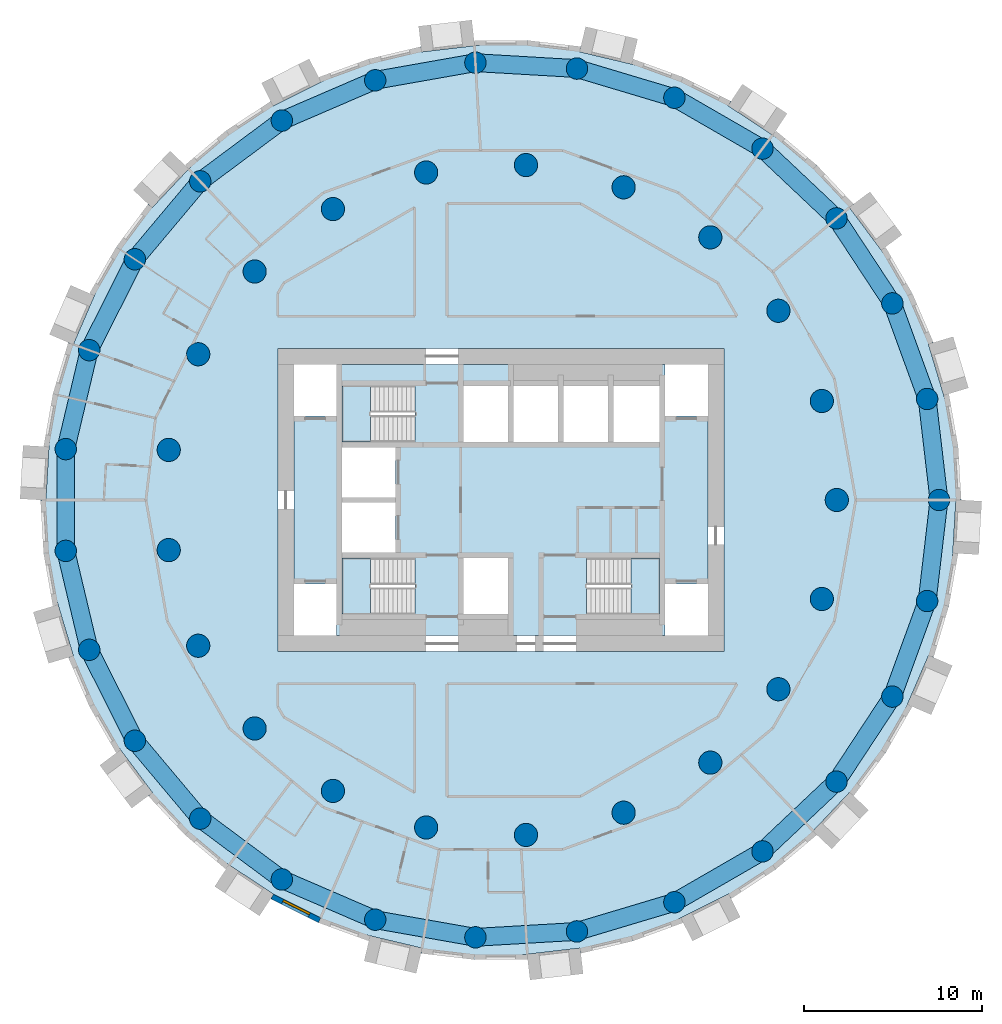
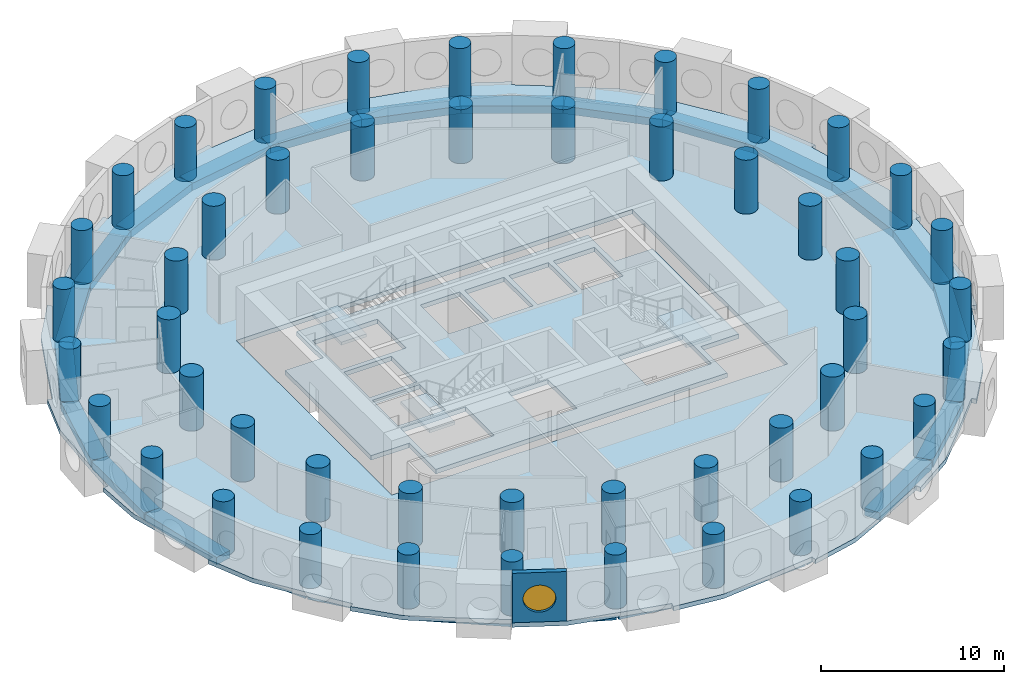
# One storey, part 1 of 9: 48 columns, 27 beams, 5 slabs, 1 wall, 1 window, 1 opening, 3 elements without a shape of their own.
"""IFC4 building model written with IfcOpenShell, lengths in metres."""

import ifcopenshell
import ifcopenshell.guid

model = None  # the IFC model being written
_history = None  # IfcOwnerHistory: only IFC2X3 demands one
_inside = {}  # id of a spatial element -> (the spatial element, [elements in it])
_under = {}  # id of a project, library or spatial element -> (it, [spatial elements below it])
_declared = {}  # id of a project -> (the project, [libraries it declares])
_typed = {}  # id of a type object -> (the type object, [elements of that type])
_made_of = {}  # id of a material, layer set ... -> (it, [elements and type objects made of it])


def new_model(schema):
    """Start an empty IFC model of exactly this schema.

    Asked for "IFC4X3", IfcOpenShell would pick the latest addendum, in which some entities
    have other attributes; the version numbers below select the first issue.
    IFC2X3 requires an IfcOwnerHistory on every rooted entity: one is made here for all.
    """
    global model, _history
    if schema == "IFC4X3":
        model = ifcopenshell.file(schema_version=(4, 3, 0, 0))
    else:
        model = ifcopenshell.file(schema=schema)
    _inside.clear()
    _under.clear()
    _declared.clear()
    _typed.clear()
    _made_of.clear()
    _history = None
    if model.schema == "IFC2X3":
        org = make("IfcOrganization", Name="unknown")
        user = make(
            "IfcPersonAndOrganization",
            ThePerson=make("IfcPerson", FamilyName="unknown"),
            TheOrganization=org,
        )
        app = make(
            "IfcApplication",
            ApplicationDeveloper=org,
            Version="unknown",
            ApplicationFullName="unknown",
            ApplicationIdentifier="unknown",
        )
        _history = make(
            "IfcOwnerHistory",
            OwningUser=user,
            OwningApplication=app,
            ChangeAction="ADDED",
            CreationDate=0,
        )
    return model


def make(cls, **values):
    """One entity of the class cls with the attributes given. An attribute that is None is left unset."""
    return model.create_entity(
        cls, **{name: value for name, value in values.items() if value is not None}
    )


def rooted(cls, **values):
    """An entity with a GlobalId (a new one), such as an element, a storey or a relation."""
    return make(cls, GlobalId=ifcopenshell.guid.new(), OwnerHistory=_history, **values)


def si_unit(unit_type, name, prefix=None):
    """IfcSIUnit, for example si_unit("LENGTHUNIT", "METRE", prefix="MILLI")."""
    return make("IfcSIUnit", UnitType=unit_type, Prefix=prefix, Name=name)


def assignment(units):
    """IfcUnitAssignment: the units of a project."""
    return None if units is None else make("IfcUnitAssignment", Units=units)


def point(xyz):
    """IfcCartesianPoint."""
    return None if xyz is None else make("IfcCartesianPoint", Coordinates=xyz)


def direction(xyz):
    """IfcDirection."""
    return None if xyz is None else make("IfcDirection", DirectionRatios=xyz)


def frame(location, z_axis=None, x_axis=None):
    """IfcAxis2Placement3D, a coordinate frame: its origin and axes. An axis left out is left unset."""
    return make(
        "IfcAxis2Placement3D",
        Location=point(location),
        Axis=direction(z_axis),
        RefDirection=direction(x_axis),
    )


def frame_2d(location, x_axis=None):
    """IfcAxis2Placement2D, a coordinate frame in the plane: its origin and x axis."""
    return make(
        "IfcAxis2Placement2D", Location=point(location), RefDirection=direction(x_axis)
    )


def origin():
    """The frame at (0, 0, 0) with its axes left unset."""
    return frame((0.0, 0.0, 0.0))


def origin_2d():
    """The frame at (0, 0) in the plane with its x axis left unset."""
    return frame_2d((0.0, 0.0))


def place(relative_to, where):
    """IfcLocalPlacement: puts the frame where relative to a parent placement (None: the world)."""
    return make(
        "IfcLocalPlacement", PlacementRelTo=relative_to, RelativePlacement=where
    )


def context(
    kind, dimensions, precision=None, world=None, true_north=None, identifier=None
):
    """IfcGeometricRepresentationContext, for example the 3D "Model" context."""
    return make(
        "IfcGeometricRepresentationContext",
        ContextIdentifier=identifier,
        ContextType=kind,
        CoordinateSpaceDimension=dimensions,
        Precision=precision,
        WorldCoordinateSystem=world,
        TrueNorth=true_north,
    )


def subcontext(parent, identifier, kind, view, scale=None):
    """IfcGeometricRepresentationSubContext, for example "Body" below "Model"."""
    return make(
        "IfcGeometricRepresentationSubContext",
        ContextIdentifier=identifier,
        ContextType=kind,
        ParentContext=parent,
        TargetScale=scale,
        TargetView=view,
    )


def project(units=None, contexts=None):
    """IfcProject with its units and contexts."""
    return rooted(
        "IfcProject",
        Name="project",
        RepresentationContexts=contexts,
        UnitsInContext=assignment(units),
    )


def spatial(cls, under=None, at=None, **own):
    """A site, building, storey or space (cls), placed at a placement, below another one or the project."""
    s = rooted(cls, ObjectPlacement=at, **own)
    if under is not None:
        _under.setdefault(under.id(), (under, []))[1].append(s)
    return s


def polyline(points):
    """IfcPolyline through the points."""
    return make("IfcPolyline", Points=[point(p) for p in points])


def profile(cls, at=None, kind="AREA", **sizes):
    """A parametric profile (cls). Its sizes go by their IFC names, for example OverallWidth=200.0."""
    return make(cls, ProfileType=kind, Position=at, **sizes)


def rectangle(**sizes):
    """IfcRectangleProfileDef."""
    return profile("IfcRectangleProfileDef", **sizes)


def circle(**sizes):
    """IfcCircleProfileDef."""
    return profile("IfcCircleProfileDef", **sizes)


def outline(outer, holes=None, kind="AREA"):
    """IfcArbitraryClosedProfileDef: a profile drawn as a closed curve; with holes, ...WithVoids."""
    if holes is None:
        return make("IfcArbitraryClosedProfileDef", ProfileType=kind, OuterCurve=outer)
    return make(
        "IfcArbitraryProfileDefWithVoids",
        ProfileType=kind,
        OuterCurve=outer,
        InnerCurves=holes,
    )


def extrude(swept, where, along, depth):
    """IfcExtrudedAreaSolid: the profile swept, set in the frame where, extruded along a direction by depth."""
    return make(
        "IfcExtrudedAreaSolid",
        SweptArea=swept,
        Position=where,
        ExtrudedDirection=direction(along),
        Depth=depth,
    )


def shape(context_of_items, identifier, shape_type, items):
    """IfcShapeRepresentation: the items that make up one representation, for example the "Body"."""
    return make(
        "IfcShapeRepresentation",
        ContextOfItems=context_of_items,
        RepresentationIdentifier=identifier,
        RepresentationType=shape_type,
        Items=items,
    )


def material(Name=None, Category=None):
    """IfcMaterial."""
    return make("IfcMaterial", Name=Name, Category=Category)


def layer(
    of_material, thickness, ventilated=None, Name=None, Category=None, Priority=None
):
    """IfcMaterialLayer: one layer of a wall or slab, of a material (None: an air gap)."""
    return make(
        "IfcMaterialLayer",
        Material=of_material,
        LayerThickness=thickness,
        IsVentilated=ventilated,
        Name=Name,
        Category=Category,
        Priority=Priority,
    )


def layer_set(layers, Name=None):
    """IfcMaterialLayerSet."""
    return make("IfcMaterialLayerSet", MaterialLayers=layers, LayerSetName=Name)


def material_profile(
    of_material, cross_section, Name=None, Category=None, Priority=None
):
    """IfcMaterialProfile: a cross section and its material."""
    return make(
        "IfcMaterialProfile",
        Name=Name,
        Material=of_material,
        Profile=cross_section,
        Priority=Priority,
        Category=Category,
    )


def profile_set(profiles, Name=None, composite=None):
    """IfcMaterialProfileSet."""
    return make(
        "IfcMaterialProfileSet",
        Name=Name,
        MaterialProfiles=profiles,
        CompositeProfile=composite,
    )


def made_of(thing, what):
    """Note that an element or type object is made of a material, layer set ...; save() writes the relation."""
    if what is not None:
        _made_of.setdefault(what.id(), (what, []))[1].append(thing)
    return thing


def type_object(cls, material=None, **own):
    """A type object (cls), such as IfcWallType, which elements share."""
    return made_of(rooted(cls, **own), material)


def element(
    cls,
    number,
    at=None,
    inside=None,
    cuts=None,
    type_object=None,
    material=None,
    context=None,
    identifier="Body",
    shape_type=None,
    held_by="IfcProductDefinitionShape",
    body=None,
    shapes=None,
    **own,
):
    """One element of the class cls, such as IfcWall. Its Tag is "e" and its number.

    at: its placement. inside: the storey or other place that contains it. cuts: it is an
    opening in that element (IfcRelVoidsElement). A single representation is given by context,
    identifier, shape_type and body (its items); several are given by shapes. held_by: the class
    of the entity that holds the representations. save() writes the other relations.
    """
    e = rooted(cls, Tag="e%d" % number, ObjectPlacement=at, **own)
    if body is not None:
        shapes = [shape(context, identifier, shape_type, body)]
    if shapes is not None:
        e.Representation = make(held_by, Representations=shapes)
    if inside is not None:
        _inside.setdefault(inside.id(), (inside, []))[1].append(e)
    if cuts is not None:
        rooted(
            "IfcRelVoidsElement", RelatingBuildingElement=cuts, RelatedOpeningElement=e
        )
    if type_object is not None:
        _typed.setdefault(type_object.id(), (type_object, []))[1].append(e)
    return made_of(e, material)


def fill(opening, filler):
    """IfcRelFillsElement: the door or window that sits in an opening."""
    return rooted(
        "IfcRelFillsElement",
        RelatingOpeningElement=opening,
        RelatedBuildingElement=filler,
    )


def aggregate(whole, parts):
    """IfcRelAggregates: a whole, such as a stair, and the parts it consists of."""
    return rooted("IfcRelAggregates", RelatingObject=whole, RelatedObjects=parts)


def save(model, path):
    """Write the relations noted so far, then the file.

    IfcRelAggregates (storeys below a building ...), IfcRelContainedInSpatialStructure (elements
    in a storey), IfcRelDefinesByType, IfcRelAssociatesMaterial and IfcRelDeclares: one each for
    every whole, place, type object, material and project.
    """
    for whole, parts in _under.values():
        aggregate(whole, parts)
    for where, things in _inside.values():
        rooted(
            "IfcRelContainedInSpatialStructure",
            RelatedElements=things,
            RelatingStructure=where,
        )
    for kind, things in _typed.values():
        rooted("IfcRelDefinesByType", RelatedObjects=things, RelatingType=kind)
    for what, things in _made_of.values():
        rooted("IfcRelAssociatesMaterial", RelatedObjects=things, RelatingMaterial=what)
    for by, libraries in _declared.values():
        rooted("IfcRelDeclares", RelatingContext=by, RelatedDefinitions=libraries)
    model.write(path)


model = new_model("IFC4")

# Units and contexts
model_context = context("Model", 3, precision=1e-05, world=origin(), true_north=direction((0.0, 1.0)))
body_context = subcontext(model_context, "Body", "Model", "MODEL_VIEW")
ifc_project = project(units=[si_unit("LENGTHUNIT", "METRE"), si_unit("AREAUNIT", "SQUARE_METRE"), si_unit("VOLUMEUNIT", "CUBIC_METRE"), si_unit("PLANEANGLEUNIT", "RADIAN"), si_unit("MASSUNIT", "GRAM", prefix="KILO")], contexts=[model_context])

# Site, building, storey
site_placement = place(None, origin())
site = spatial("IfcSite", under=ifc_project, at=site_placement, CompositionType="ELEMENT")
building_placement = place(site_placement, origin())
building = spatial("IfcBuilding", under=site, at=building_placement, Name="Tracery Tower", CompositionType="ELEMENT")
storey_placement = place(building_placement, frame((0.0, 0.0, 180.0)))
storey = spatial("IfcBuildingStorey", under=building, at=storey_placement, Name="L46", CompositionType="ELEMENT", Elevation=180.0)

# Columns
ifc_material_1 = material(Name="Concrete C50/60", Category="concrete")
ifc_material_profile_1 = material_profile(ifc_material_1, circle(Radius=0.60009765625, at=origin_2d()), Name="RC D1200")
ifc_profile_set_1 = profile_set([ifc_material_profile_1], Name="Concrete C50/60")
column_type_1 = type_object("IfcColumnType", Name="Ring 1 column 1200", PredefinedType="COLUMN", material=ifc_profile_set_1)
for number, where, z_axis, x_axis, name in (
    (1, (24.547607421875, 0.0, 0.0), (0.0, 0.0, 1.0), (1.0, 0.0, 0.0), "Ring 1 column 00 at L46"),
    (2, (23.885986328125, 5.6611328125, 0.0), (0.0, 0.0, 1.0), (1.0, 0.0, 0.0), "Ring 1 column 01 at L46"),
    (3, (21.9365234375, 11.01708984375, 0.0), (0.0, 0.0, 1.0), (1.0, 0.0, 0.0), "Ring 1 column 02 at L46"),
    (4, (18.8046875, 15.779052734375, 0.0), (0.0, 0.0, 1.0), (1.0, 0.0, 0.0), "Ring 1 column 03 at L46"),
    (5, (14.658935546875, 19.690185546875, 0.0), (0.0, 0.0, 1.0), (1.0, 0.0, 0.0), "Ring 1 column 04 at L46"),
    (6, (9.722900390625, 22.5400390625, 0.0), (0.0, 0.0, 1.0), (1.0, 0.0, 0.0), "Ring 1 column 05 at L46"),
    (7, (4.2626953125, 24.1748046875, 0.0), (0.0, 0.0, 1.0), (1.0, 0.0, 0.0), "Ring 1 column 06 at L46"),
    (8, (-1.42724609375, 24.506103515625, 0.0), (0.0, 0.0, 1.0), (1.0, 0.0, 0.0), "Ring 1 column 07 at L46"),
    (9, (-7.040283203125, 23.516357421875, 0.0), (0.0, 0.0, 1.0), (1.0, 0.0, 0.0), "Ring 1 column 08 at L46"),
    (10, (-12.273681640625, 21.2587890625, 0.0), (0.0, 0.0, 1.0), (1.0, 0.0, 0.0), "Ring 1 column 09 at L46"),
    (11, (-16.845703125, 17.855224609375, 0.0), (0.0, 0.0, 1.0), (1.0, 0.0, 0.0), "Ring 1 column 10 at L46"),
    (12, (-20.50927734375, 13.4892578125, 0.0), (0.0, 0.0, 1.0), (1.0, 0.0, 0.0), "Ring 1 column 11 at L46"),
    (13, (-23.0673828125, 8.395751953125, 0.0), (0.0, 0.0, 1.0), (1.0, 0.0, 0.0), "Ring 1 column 12 at L46"),
    (14, (-24.381591796875, 2.849853515625, 0.0), (0.0, 0.0, 1.0), (1.0, 0.0, 0.0), "Ring 1 column 13 at L46"),
    (15, (-24.381591796875, -2.849853515625, 0.0), (0.0, 0.0, 1.0), (1.0, 0.0, 0.0), "Ring 1 column 14 at L46"),
    (16, (-23.0673828125, -8.395751953125, 0.0), (0.0, 0.0, 1.0), (1.0, 0.0, 0.0), "Ring 1 column 15 at L46"),
    (17, (-20.50927734375, -13.4892578125, 0.0), (0.0, 0.0, 1.0), (1.0, 0.0, 0.0), "Ring 1 column 16 at L46"),
    (18, (-16.845703125, -17.85546875, 0.0), (0.0, 0.0, 1.0), (1.0, 0.0, 0.0), "Ring 1 column 17 at L46"),
    (19, (-12.27392578125, -21.2587890625, 0.0), (0.0, 0.0, 1.0), (1.0, 0.0, 0.0), "Ring 1 column 18 at L46"),
    (20, (-7.040283203125, -23.516357421875, 0.0), (0.0, 0.0, 1.0), (1.0, 0.0, 0.0), "Ring 1 column 19 at L46"),
    (21, (-1.42724609375, -24.506103515625, 0.0), (0.0, 0.0, 1.0), (1.0, 0.0, 0.0), "Ring 1 column 20 at L46"),
    (22, (4.2626953125, -24.1748046875, 0.0), (0.0, 0.0, 1.0), (1.0, 0.0, 0.0), "Ring 1 column 21 at L46"),
    (23, (9.722900390625, -22.5400390625, 0.0), (0.0, 0.0, 1.0), (1.0, 0.0, 0.0), "Ring 1 column 22 at L46"),
    (24, (14.658935546875, -19.690185546875, 0.0), (0.0, 0.0, 1.0), (1.0, 0.0, 0.0), "Ring 1 column 23 at L46"),
    (25, (18.8046875, -15.779052734375, 0.0), (0.0, 0.0, 1.0), (1.0, 0.0, 0.0), "Ring 1 column 24 at L46"),
    (26, (21.9365234375, -11.01708984375, 0.0), (0.0, 0.0, 1.0), (1.0, 0.0, 0.0), "Ring 1 column 25 at L46"),
    (27, (23.885986328125, -5.6611328125, 0.0), (0.0, 0.0, 1.0), (1.0, 0.0, 0.0), "Ring 1 column 26 at L46"),
):
    element("IfcColumn", number, at=place(storey_placement, frame(where, z_axis=z_axis, x_axis=x_axis)), inside=storey, type_object=column_type_1, Name=name, PredefinedType="COLUMN", context=body_context, shape_type="SweptSolid", body=[
        extrude(circle(Radius=0.60009765625, at=origin_2d()), origin(), (0.0, 0.0, 1.0), 3.60009765625),
    ])
ifc_material_2 = material(Name="Concrete C50/60", Category="concrete")
ifc_material_profile_2 = material_profile(ifc_material_2, circle(Radius=0.64990234375, at=origin_2d()), Name="RC D1300")
ifc_profile_set_2 = profile_set([ifc_material_profile_2], Name="Concrete C50/60")
column_type_2 = type_object("IfcColumnType", Name="Ring 2 column 1300", PredefinedType="COLUMN", material=ifc_profile_set_2)
for number, where, z_axis, x_axis, name in (
    (28, (18.822265625, 0.0, 0.0), (0.0, 0.0, 1.0), (1.0, 0.0, 0.0), "Ring 2 column 00 at L46"),
    (29, (17.986083984375, 5.5478515625, 0.0), (0.0, 0.0, 1.0), (1.0, 0.0, 0.0), "Ring 2 column 01 at L46"),
    (30, (15.551513671875, 10.602783203125, 0.0), (0.0, 0.0, 1.0), (1.0, 0.0, 0.0), "Ring 2 column 02 at L46"),
    (31, (11.7353515625, 14.7158203125, 0.0), (0.0, 0.0, 1.0), (1.0, 0.0, 0.0), "Ring 2 column 03 at L46"),
    (32, (6.87646484375, 17.52099609375, 0.0), (0.0, 0.0, 1.0), (1.0, 0.0, 0.0), "Ring 2 column 04 at L46"),
    (33, (1.406494140625, 18.76953125, 0.0), (0.0, 0.0, 1.0), (1.0, 0.0, 0.0), "Ring 2 column 05 at L46"),
    (34, (-4.188232421875, 18.350341796875, 0.0), (0.0, 0.0, 1.0), (1.0, 0.0, 0.0), "Ring 2 column 06 at L46"),
    (35, (-9.4111328125, 16.300537109375, 0.0), (0.0, 0.0, 1.0), (1.0, 0.0, 0.0), "Ring 2 column 07 at L46"),
    (36, (-13.797607421875, 12.802490234375, 0.0), (0.0, 0.0, 1.0), (1.0, 0.0, 0.0), "Ring 2 column 08 at L46"),
    (37, (-16.958251953125, 8.16650390625, 0.0), (0.0, 0.0, 1.0), (1.0, 0.0, 0.0), "Ring 2 column 09 at L46"),
    (38, (-18.612060546875, 2.805419921875, 0.0), (0.0, 0.0, 1.0), (1.0, 0.0, 0.0), "Ring 2 column 10 at L46"),
    (39, (-18.612060546875, -2.805419921875, 0.0), (0.0, 0.0, 1.0), (1.0, 0.0, 0.0), "Ring 2 column 11 at L46"),
    (40, (-16.958251953125, -8.166748046875, 0.0), (0.0, 0.0, 1.0), (1.0, 0.0, 0.0), "Ring 2 column 12 at L46"),
    (41, (-13.797607421875, -12.80224609375, 0.0), (0.0, 0.0, 1.0), (1.0, 0.0, 0.0), "Ring 2 column 13 at L46"),
    (42, (-9.4111328125, -16.300537109375, 0.0), (0.0, 0.0, 1.0), (1.0, 0.0, 0.0), "Ring 2 column 14 at L46"),
    (43, (-4.188232421875, -18.350341796875, 0.0), (0.0, 0.0, 1.0), (1.0, 0.0, 0.0), "Ring 2 column 15 at L46"),
    (44, (1.406494140625, -18.76953125, 0.0), (0.0, 0.0, 1.0), (1.0, 0.0, 0.0), "Ring 2 column 16 at L46"),
    (45, (6.87646484375, -17.52099609375, 0.0), (0.0, 0.0, 1.0), (1.0, 0.0, 0.0), "Ring 2 column 17 at L46"),
    (46, (11.7353515625, -14.7158203125, 0.0), (0.0, 0.0, 1.0), (1.0, 0.0, 0.0), "Ring 2 column 18 at L46"),
    (47, (15.551513671875, -10.602783203125, 0.0), (0.0, 0.0, 1.0), (1.0, 0.0, 0.0), "Ring 2 column 19 at L46"),
    (48, (17.986083984375, -5.5478515625, 0.0), (0.0, 0.0, 1.0), (1.0, 0.0, 0.0), "Ring 2 column 20 at L46"),
):
    element("IfcColumn", number, at=place(storey_placement, frame(where, z_axis=z_axis, x_axis=x_axis)), inside=storey, type_object=column_type_2, Name=name, PredefinedType="COLUMN", context=body_context, shape_type="SweptSolid", body=[
        extrude(circle(Radius=0.64990234375, at=origin_2d()), origin(), (0.0, 0.0, 1.0), 3.60009765625),
    ])

# Beams
ifc_material_3 = material(Name="Concrete C50/60", Category="concrete")
ifc_material_profile_3 = material_profile(ifc_material_3, rectangle(XDim=1.0, YDim=0.5, at=origin_2d()), Name="RC 1000x500")
ifc_profile_set_3 = profile_set([ifc_material_profile_3], Name="Concrete C50/60")
beam_type = type_object("IfcBeamType", Name="Perimeter band beam 1000x500", PredefinedType="BEAM", material=ifc_profile_set_3)
for number, where, z_axis, x_axis, name in (
    (49, (24.547607421875, 0.0, -0.550048828125), (-0.116080723252, 0.993239782575, 0.0), (-0.993239782575, -0.116080723252, 0.0), "Perimeter beam 1.00 under L46"),
    (50, (23.885986328125, 5.6611328125, -0.550048828125), (-0.342028502279, 0.939689578334, 0.0), (-0.939689578334, -0.342028502279, 0.0), "Perimeter beam 1.01 under L46"),
):
    element("IfcBeam", number, at=place(storey_placement, frame(where, z_axis=z_axis, x_axis=x_axis)), inside=storey, type_object=beam_type, Name=name, PredefinedType="BEAM", context=body_context, shape_type="SweptSolid", body=[
        extrude(rectangle(XDim=1.0, YDim=0.5, at=origin_2d()), origin(), (0.0, 0.0, 1.0), 5.69970703125),
    ])
for number, where, z_axis, x_axis, name in (
    (51, (21.9365234375, 11.01708984375, -0.550048828125), (-0.549489832182, 0.835500403548, 0.0), (-0.835500403548, -0.549489832182, 0.0), "Perimeter beam 1.02 under L46"),
    (52, (18.8046875, 15.779052734375, -0.550048828125), (-0.727389618263, 0.686224703172, 0.0), (-0.686224703172, -0.727389618263, 0.0), "Perimeter beam 1.03 under L46"),
):
    element("IfcBeam", number, at=place(storey_placement, frame(where, z_axis=z_axis, x_axis=x_axis)), inside=storey, type_object=beam_type, Name=name, PredefinedType="BEAM", context=body_context, shape_type="SweptSolid", body=[
        extrude(rectangle(XDim=1.0, YDim=0.5, at=origin_2d()), origin(), (0.0, 0.0, 1.0), 5.699462890625),
    ])
for number, where, z_axis, x_axis, name in (
    (53, (14.658935546875, 19.690185546875, -0.550048828125), (-0.866022950691, 0.500004248858, 0.0), (-0.500004248858, -0.866022950691, 0.0), "Perimeter beam 1.04 under L46"),
    (54, (9.722900390625, 22.5400390625, -0.550048828125), (-0.957985292634, 0.28681732705, 0.0), (-0.28681732705, -0.957985292634, 0.0), "Perimeter beam 1.05 under L46"),
):
    element("IfcBeam", number, at=place(storey_placement, frame(where, z_axis=z_axis, x_axis=x_axis)), inside=storey, type_object=beam_type, Name=name, PredefinedType="BEAM", context=body_context, shape_type="SweptSolid", body=[
        extrude(rectangle(XDim=1.0, YDim=0.5, at=origin_2d()), origin(), (0.0, 0.0, 1.0), 5.69970703125),
    ])
beam_1_placement = place(storey_placement, frame((4.2626953125, 24.1748046875, -0.550048828125), z_axis=(-0.99830920221, 0.058126902403, 0.0), x_axis=(-0.058126902403, -0.99830920221, 0.0)))
element("IfcBeam", 55, at=beam_1_placement, inside=storey, type_object=beam_type, Name="Perimeter beam 1.06 under L46", PredefinedType="BEAM", context=body_context, shape_type="SweptSolid", body=[
    extrude(rectangle(XDim=1.0, YDim=0.5, at=origin_2d()), origin(), (0.0, 0.0, 1.0), 5.699462890625),
])
beam_2_placement = place(storey_placement, frame((-1.42724609375, 24.506103515625, -0.550048828125), z_axis=(-0.984807266719, -0.173650935552, 0.0), x_axis=(0.173650935552, -0.984807266719, 0.0)))
element("IfcBeam", 56, at=beam_2_placement, inside=storey, type_object=beam_type, Name="Perimeter beam 1.07 under L46", PredefinedType="BEAM", context=body_context, shape_type="SweptSolid", body=[
    extrude(rectangle(XDim=1.0, YDim=0.5, at=origin_2d()), origin(), (0.0, 0.0, 1.0), 5.69970703125),
])
beam_3_placement = place(storey_placement, frame((-7.040283203125, 23.516357421875, -0.550048828125), z_axis=(-0.918209685525, -0.396094652083, 0.0), x_axis=(0.396094652083, -0.918209685525, 0.0)))
element("IfcBeam", 57, at=beam_3_placement, inside=storey, type_object=beam_type, Name="Perimeter beam 1.08 under L46", PredefinedType="BEAM", context=body_context, shape_type="SweptSolid", body=[
    extrude(rectangle(XDim=1.0, YDim=0.5, at=origin_2d()), origin(), (0.0, 0.0, 1.0), 5.699462890625),
])
beam_4_placement = place(storey_placement, frame((-12.273681640625, 21.2587890625, -0.550048828125), z_axis=(-0.802138271299, -0.59713833717, 0.0), x_axis=(0.59713833717, -0.802138271299, 0.0)))
element("IfcBeam", 58, at=beam_4_placement, inside=storey, type_object=beam_type, Name="Perimeter beam 1.09 under L46", PredefinedType="BEAM", context=body_context, shape_type="SweptSolid", body=[
    extrude(rectangle(XDim=1.0, YDim=0.5, at=origin_2d()), origin(), (0.0, 0.0, 1.0), 5.69970703125),
])
beam_5_placement = place(storey_placement, frame((-16.845703125, 17.855224609375, -0.550048828125), z_axis=(-0.642797194343, -0.766036400535, 0.0), x_axis=(0.766036400535, -0.642797194343, 0.0)))
element("IfcBeam", 59, at=beam_5_placement, inside=storey, type_object=beam_type, Name="Perimeter beam 1.10 under L46", PredefinedType="BEAM", context=body_context, shape_type="SweptSolid", body=[
    extrude(rectangle(XDim=1.0, YDim=0.5, at=origin_2d()), origin(), (0.0, 0.0, 1.0), 5.699462890625),
])
beam_6_placement = place(storey_placement, frame((-20.50927734375, 13.4892578125, -0.550048828125), z_axis=(-0.448806280933, -0.893629074166, 0.0), x_axis=(0.893629074166, -0.448806280933, 0.0)))
element("IfcBeam", 60, at=beam_6_placement, inside=storey, type_object=beam_type, Name="Perimeter beam 1.11 under L46", PredefinedType="BEAM", context=body_context, shape_type="SweptSolid", body=[
    extrude(rectangle(XDim=1.0, YDim=0.5, at=origin_2d()), origin(), (0.0, 0.0, 1.0), 5.69970703125),
])
beam_7_placement = place(storey_placement, frame((-23.0673828125, 8.395751953125, -0.550048828125), z_axis=(-0.230583793756, -0.973052472407, 0.0), x_axis=(0.973052472407, -0.230583793756, 0.0)))
element("IfcBeam", 61, at=beam_7_placement, inside=storey, type_object=beam_type, Name="Perimeter beam 1.12 under L46", PredefinedType="BEAM", context=body_context, shape_type="SweptSolid", body=[
    extrude(rectangle(XDim=1.0, YDim=0.5, at=origin_2d()), origin(), (0.0, 0.0, 1.0), 5.699462890625),
])
beam_8_placement = place(storey_placement, frame((-24.381591796875, 2.849853515625, -0.550048828125), z_axis=(0.0, -1.0, 0.0), x_axis=(1.0, 0.0, 0.0)))
element("IfcBeam", 62, at=beam_8_placement, inside=storey, type_object=beam_type, Name="Perimeter beam 1.13 under L46", PredefinedType="BEAM", context=body_context, shape_type="SweptSolid", body=[
    extrude(rectangle(XDim=1.0, YDim=0.5, at=origin_2d()), origin(), (0.0, 0.0, 1.0), 5.69970703125),
])
beam_9_placement = place(storey_placement, frame((-24.381591796875, -2.849853515625, -0.550048828125), z_axis=(0.230583793756, -0.973052472407, 0.0), x_axis=(0.973052472407, 0.230583793756, 0.0)))
element("IfcBeam", 63, at=beam_9_placement, inside=storey, type_object=beam_type, Name="Perimeter beam 1.14 under L46", PredefinedType="BEAM", context=body_context, shape_type="SweptSolid", body=[
    extrude(rectangle(XDim=1.0, YDim=0.5, at=origin_2d()), origin(), (0.0, 0.0, 1.0), 5.699462890625),
])
for number, where, z_axis, x_axis, name in (
    (64, (-23.0673828125, -8.395751953125, -0.550048828125), (0.448806280933, -0.893629074166, 0.0), (0.893629074166, 0.448806280933, 0.0), "Perimeter beam 1.15 under L46"),
    (65, (-20.50927734375, -13.4892578125, -0.550048828125), (0.64277610208, -0.766054099, 0.0), (0.766054099, 0.64277610208, 0.0), "Perimeter beam 1.16 under L46"),
):
    element("IfcBeam", number, at=place(storey_placement, frame(where, z_axis=z_axis, x_axis=x_axis)), inside=storey, type_object=beam_type, Name=name, PredefinedType="BEAM", context=body_context, shape_type="SweptSolid", body=[
        extrude(rectangle(XDim=1.0, YDim=0.5, at=origin_2d()), origin(), (0.0, 0.0, 1.0), 5.69970703125),
    ])
beam_10_placement = place(storey_placement, frame((-16.845703125, -17.85546875, -0.550048828125), z_axis=(0.802143514942, -0.597131293298, 0.0), x_axis=(0.597131293298, 0.802143514942, 0.0)))
element("IfcBeam", 66, at=beam_10_placement, inside=storey, type_object=beam_type, Name="Perimeter beam 1.17 under L46", PredefinedType="BEAM", context=body_context, shape_type="SweptSolid", body=[
    extrude(rectangle(XDim=1.0, YDim=0.5, at=origin_2d()), origin(), (0.0, 0.0, 1.0), 5.699462890625),
])
for number, where, z_axis, x_axis, name in (
    (67, (-12.27392578125, -21.2587890625, -0.550048828125), (0.918216405543, -0.39607907366, 0.0), (0.39607907366, 0.918216405543, 0.0), "Perimeter beam 1.18 under L46"),
    (68, (-7.040283203125, -23.516357421875, -0.550048828125), (0.984807266719, -0.173650935552, 0.0), (0.173650935552, 0.984807266719, 0.0), "Perimeter beam 1.19 under L46"),
):
    element("IfcBeam", number, at=place(storey_placement, frame(where, z_axis=z_axis, x_axis=x_axis)), inside=storey, type_object=beam_type, Name=name, PredefinedType="BEAM", context=body_context, shape_type="SweptSolid", body=[
        extrude(rectangle(XDim=1.0, YDim=0.5, at=origin_2d()), origin(), (0.0, 0.0, 1.0), 5.69970703125),
    ])
beam_11_placement = place(storey_placement, frame((-1.42724609375, -24.506103515625, -0.550048828125), z_axis=(0.99830920221, 0.058126902403, 0.0), x_axis=(-0.058126902403, 0.99830920221, 0.0)))
element("IfcBeam", 69, at=beam_11_placement, inside=storey, type_object=beam_type, Name="Perimeter beam 1.20 under L46", PredefinedType="BEAM", context=body_context, shape_type="SweptSolid", body=[
    extrude(rectangle(XDim=1.0, YDim=0.5, at=origin_2d()), origin(), (0.0, 0.0, 1.0), 5.699462890625),
])
for number, where, z_axis, x_axis, name in (
    (70, (4.2626953125, -24.1748046875, -0.550048828125), (0.957985292634, 0.28681732705, 0.0), (-0.28681732705, 0.957985292634, 0.0), "Perimeter beam 1.21 under L46"),
    (71, (9.722900390625, -22.5400390625, -0.550048828125), (0.866022950691, 0.500004248858, 0.0), (-0.500004248858, 0.866022950691, 0.0), "Perimeter beam 1.22 under L46"),
):
    element("IfcBeam", number, at=place(storey_placement, frame(where, z_axis=z_axis, x_axis=x_axis)), inside=storey, type_object=beam_type, Name=name, PredefinedType="BEAM", context=body_context, shape_type="SweptSolid", body=[
        extrude(rectangle(XDim=1.0, YDim=0.5, at=origin_2d()), origin(), (0.0, 0.0, 1.0), 5.69970703125),
    ])
for number, where, z_axis, x_axis, name in (
    (72, (14.658935546875, -19.690185546875, -0.550048828125), (0.727389618263, 0.686224703172, 0.0), (-0.686224703172, 0.727389618263, 0.0), "Perimeter beam 1.23 under L46"),
    (73, (18.8046875, -15.779052734375, -0.550048828125), (0.549489832182, 0.835500403548, 0.0), (-0.835500403548, 0.549489832182, 0.0), "Perimeter beam 1.24 under L46"),
):
    element("IfcBeam", number, at=place(storey_placement, frame(where, z_axis=z_axis, x_axis=x_axis)), inside=storey, type_object=beam_type, Name=name, PredefinedType="BEAM", context=body_context, shape_type="SweptSolid", body=[
        extrude(rectangle(XDim=1.0, YDim=0.5, at=origin_2d()), origin(), (0.0, 0.0, 1.0), 5.699462890625),
    ])
for number, where, z_axis, x_axis, name in (
    (74, (21.9365234375, -11.01708984375, -0.550048828125), (0.342028502279, 0.939689578334, 0.0), (-0.939689578334, 0.342028502279, 0.0), "Perimeter beam 1.25 under L46"),
    (75, (23.885986328125, -5.6611328125, -0.550048828125), (0.116080723252, 0.993239782575, 0.0), (-0.993239782575, 0.116080723252, 0.0), "Perimeter beam 1.26 under L46"),
):
    element("IfcBeam", number, at=place(storey_placement, frame(where, z_axis=z_axis, x_axis=x_axis)), inside=storey, type_object=beam_type, Name=name, PredefinedType="BEAM", context=body_context, shape_type="SweptSolid", body=[
        extrude(rectangle(XDim=1.0, YDim=0.5, at=origin_2d()), origin(), (0.0, 0.0, 1.0), 5.69970703125),
    ])

# Slabs
ifc_material_4 = material(Name="Concrete C50/60", Category="concrete")
ifc_layer_1 = layer(ifc_material_4, 0.300048828125)
ifc_layer_set_1 = layer_set([ifc_layer_1], Name="Core floor slab 300 C50")
slab_type_1 = type_object("IfcSlabType", Name="Core floor slab 300 C50", PredefinedType="FLOOR", material=ifc_layer_set_1)
slab_1_placement = place(storey_placement, frame((0.0, 0.0, -0.300048828125)))
element("IfcSlab", 76, at=slab_1_placement, inside=storey, type_object=slab_type_1, Name="L46 core floor 1", PredefinedType="FLOOR", context=body_context, shape_type="SweptSolid", body=[
    extrude(outline(polyline([(-9.199951171875, 7.60009765625), (9.199951171875, 7.60009765625), (9.199951171875, 4.699951171875), (11.60009765625, 4.699951171875), (11.60009765625, -4.699951171875), (9.199951171875, -4.699951171875), (9.199951171875, -7.60009765625), (-9.199951171875, -7.60009765625), (-9.199951171875, -4.699951171875), (-11.60009765625, -4.699951171875), (-11.60009765625, 4.699951171875), (-9.199951171875, 4.699951171875), (-9.199951171875, 7.60009765625)]), holes=[polyline([(4.800537109375, -6.39990234375), (8.89990234375, -6.39990234375), (8.89990234375, -3.25), (4.800537109375, -3.25), (4.800537109375, -6.39990234375)]), polyline([(8.89990234375, 3.25), (8.89990234375, 6.39990234375), (6.300048828125, 6.39990234375), (6.300048828125, 3.25), (8.89990234375, 3.25)]), polyline([(6.0, 3.25), (6.0, 6.39990234375), (3.5, 6.39990234375), (3.5, 3.25), (6.0, 3.25)]), polyline([(3.199951171875, 3.25), (3.199951171875, 6.39990234375), (0.699951171875, 6.39990234375), (0.699951171875, 3.25), (3.199951171875, 3.25)]), polyline([(-2.10009765625, 3.25), (0.39990234375, 3.25), (0.39990234375, 6.39990234375), (-2.10009765625, 6.39990234375), (-2.10009765625, 3.25)]), polyline([(0.39990234375, -6.39990234375), (0.39990234375, -3.25), (-2.10009765625, -3.25), (-2.10009765625, -6.39990234375), (0.39990234375, -6.39990234375)]), polyline([(-4.800537109375, -3.25), (-8.89990234375, -3.25), (-8.89990234375, -6.39990234375), (-4.800537109375, -6.39990234375), (-4.800537109375, -3.25)]), polyline([(-4.800537109375, 6.39990234375), (-8.89990234375, 6.39990234375), (-8.89990234375, 3.25), (-4.800537109375, 3.25), (-4.800537109375, 6.39990234375)]), polyline([(-5.89990234375, -2.949951171875), (-5.89990234375, -0.14990234375), (-8.89990234375, -0.14990234375), (-8.89990234375, -2.949951171875), (-5.89990234375, -2.949951171875)]), polyline([(-5.89990234375, 0.14990234375), (-5.89990234375, 2.949951171875), (-8.89990234375, 2.949951171875), (-8.89990234375, 0.14990234375), (-5.89990234375, 0.14990234375)])]), origin(), (0.0, 0.0, 1.0), 0.300048828125),
])
ifc_material_5 = material(Name="Concrete C40/50", Category="concrete")
ifc_layer_2 = layer(ifc_material_5, 0.300048828125)
ifc_layer_set_2 = layer_set([ifc_layer_2], Name="Floor slab 300")
slab_type_2 = type_object("IfcSlabType", Name="Floor slab 300", PredefinedType="FLOOR", material=ifc_layer_set_2)
slab_2_placement = place(storey_placement, frame((0.0, 0.0, -0.300048828125)))
element("IfcSlab", 77, at=slab_2_placement, inside=storey, type_object=slab_type_2, Name="Floor slab L46", PredefinedType="FLOOR", context=body_context, shape_type="SweptSolid", body=[
    extrude(outline(polyline([(24.809814453125, 5.8798828125), (24.694580078125, 6.265380859375), (23.95947265625, 8.720703125), (23.95947265625, 8.720703125), (23.95458984375, 8.7373046875), (24.241943359375, 8.8232421875), (23.0537109375, 11.577880859375), (21.302490234375, 14.010986328125), (20.657958984375, 14.876953125), (19.521484375, 16.4033203125), (19.76220703125, 16.58251953125), (17.70361328125, 18.7646484375), (15.227294921875, 20.450927734375), (13.4443359375, 21.623779296875), (12.74853515625, 22.081298828125), (12.74853515625, 22.081298828125), (12.73388671875, 22.0908203125), (12.89892578125, 22.341552734375), (10.218017578125, 23.68798828125), (7.312744140625, 24.426025390625), (4.427490234375, 25.10986328125), (4.427490234375, 25.10986328125), (4.410400390625, 25.114013671875), (4.4794921875, 25.4052734375), (4.479736328125, 25.40576171875), (1.5, 25.754150390625), (-1.47998046875, 25.454345703125), (-3.055908203125, 25.27001953125), (-4.427490234375, 25.10986328125), (-4.427490234375, 25.10986328125), (-4.44482421875, 25.10791015625), (-4.479736328125, 25.40576171875), (-7.39892578125, 24.7138671875), (-10.098876953125, 23.411865234375), (-12.74853515625, 22.081298828125), (-12.74853515625, 22.081298828125), (-12.76416015625, 22.073486328125), (-12.89892578125, 22.341552734375), (-15.4052734375, 20.69287109375), (-17.497314453125, 18.5458984375), (-18.208740234375, 17.791748046875), (-19.5439453125, 16.376708984375), (-19.76171875, 16.581787109375), (-19.76220703125, 16.58251953125), (-21.5537109375, 14.176025390625), (-22.78515625, 11.443115234375), (-23.95947265625, 8.720703125), (-23.95947265625, 8.720703125), (-23.96630859375, 8.70458984375), (-24.241455078125, 8.822998046875), (-24.241943359375, 8.8232421875), (-25.102294921875, 5.949462890625), (-25.32470703125, 2.96044921875), (-25.498291015625, -0.017333984375), (-25.797607421875, 0.0), (-25.797607421875, 0.0), (-25.623291015625, -2.994873046875), (-24.809814453125, -5.8798828125), (-24.694580078125, -6.265380859375), (-23.95947265625, -8.720703125), (-23.95947265625, -8.720703125), (-23.95458984375, -8.7373046875), (-24.241943359375, -8.8232421875), (-23.0537109375, -11.577880859375), (-21.302490234375, -14.010986328125), (-20.657958984375, -14.876953125), (-19.521484375, -16.4033203125), (-19.76220703125, -16.58251953125), (-17.70361328125, -18.7646484375), (-15.227294921875, -20.450927734375), (-13.4443359375, -21.623779296875), (-12.74853515625, -22.081298828125), (-12.74853515625, -22.081298828125), (-12.73388671875, -22.0908203125), (-12.89892578125, -22.341552734375), (-10.218017578125, -23.68798828125), (-7.312744140625, -24.426025390625), (-4.427490234375, -25.10986328125), (-4.427490234375, -25.10986328125), (-4.410400390625, -25.114013671875), (-4.4794921875, -25.4052734375), (-4.479736328125, -25.40576171875), (-1.5, -25.754150390625), (1.47998046875, -25.454345703125), (3.055908203125, -25.27001953125), (4.427490234375, -25.10986328125), (4.427490234375, -25.10986328125), (4.44482421875, -25.10791015625), (4.479736328125, -25.40576171875), (7.39892578125, -24.7138671875), (10.098876953125, -23.411865234375), (12.74853515625, -22.081298828125), (12.74853515625, -22.081298828125), (12.76416015625, -22.073486328125), (12.898681640625, -22.341064453125), (12.89892578125, -22.341552734375), (15.4052734375, -20.69287109375), (17.497314453125, -18.5458984375), (18.208740234375, -17.791748046875), (19.5439453125, -16.376708984375), (19.76171875, -16.581787109375), (19.76220703125, -16.58251953125), (21.5537109375, -14.176025390625), (22.78515625, -11.443115234375), (23.95947265625, -8.720703125), (23.95947265625, -8.720703125), (23.96630859375, -8.70458984375), (24.241455078125, -8.822998046875), (24.241943359375, -8.8232421875), (25.102294921875, -5.949462890625), (25.32470703125, -2.96044921875), (25.498291015625, 0.017333984375), (25.797607421875, 0.0), (25.623291015625, 2.994873046875), (24.809814453125, 5.8798828125)]), holes=[polyline([(-12.5, -8.5), (12.5, -8.5), (12.5, 8.5), (-12.5, 8.5), (-12.5, -8.5)])]), origin(), (0.0, 0.0, 1.0), 0.300048828125),
])

# Stair, slab
ifc_material_6 = material(Name="Concrete C32/40", Category="concrete")
stair_type = type_object("IfcStairType", Name="Core stair 22 risers", PredefinedType="HALF_TURN_STAIR", material=ifc_material_6)
stair_1_placement = place(storey_placement, origin())
stair_1 = element("IfcStair", 78, at=stair_1_placement, inside=storey, type_object=stair_type, Name="L46 stair ST1", PredefinedType="HALF_TURN_STAIR")
ifc_material_7 = material(Name="Concrete C32/40", Category="concrete")
ifc_layer_3 = layer(ifc_material_7, 0.199951171875)
ifc_layer_set_3 = layer_set([ifc_layer_3], Name="Stair landing slab 200")
slab_type_3 = type_object("IfcSlabType", Name="Stair landing slab 200", PredefinedType="LANDING", material=ifc_layer_set_3)
slab_3_placement = place(storey_placement, frame((0.0, 0.0, 1.60009765625)))
slab_3 = element("IfcSlab", 79, at=slab_3_placement, type_object=slab_type_3, Name="ST1 landing 1", PredefinedType="LANDING", context=body_context, shape_type="SweptSolid", body=[
    extrude(outline(polyline([(-7.29931640625, -3.25), (-8.89990234375, -3.25), (-8.89990234375, -6.39990234375), (-7.29931640625, -6.39990234375), (-7.29931640625, -3.25)])), origin(), (0.0, 0.0, 1.0), 0.199951171875),
])
aggregate(stair_1, [slab_3])

stair_2_placement = place(storey_placement, origin())
stair_2 = element("IfcStair", 80, at=stair_2_placement, inside=storey, type_object=stair_type, Name="L46 stair ST3", PredefinedType="HALF_TURN_STAIR")
slab_4_placement = place(storey_placement, frame((0.0, 0.0, 1.60009765625)))
slab_4 = element("IfcSlab", 81, at=slab_4_placement, type_object=slab_type_3, Name="ST3 landing 1", PredefinedType="LANDING", context=body_context, shape_type="SweptSolid", body=[
    extrude(outline(polyline([(-7.29931640625, 6.39990234375), (-8.89990234375, 6.39990234375), (-8.89990234375, 3.25), (-7.29931640625, 3.25), (-7.29931640625, 6.39990234375)])), origin(), (0.0, 0.0, 1.0), 0.199951171875),
])
aggregate(stair_2, [slab_4])

stair_3_placement = place(storey_placement, origin())
stair_3 = element("IfcStair", 82, at=stair_3_placement, inside=storey, type_object=stair_type, Name="L46 stair ST2", PredefinedType="HALF_TURN_STAIR")
slab_5_placement = place(storey_placement, frame((0.0, 0.0, 1.60009765625)))
slab_5 = element("IfcSlab", 83, at=slab_5_placement, type_object=slab_type_3, Name="ST2 landing 1", PredefinedType="LANDING", context=body_context, shape_type="SweptSolid", body=[
    extrude(outline(polyline([(7.29931640625, -6.39990234375), (8.89990234375, -6.39990234375), (8.89990234375, -3.25), (7.29931640625, -3.25), (7.29931640625, -6.39990234375)])), origin(), (0.0, 0.0, 1.0), 0.199951171875),
])
aggregate(stair_3, [slab_5])

# Wall, opening, window
ifc_material_8 = material(Name="Precast concrete C50/60", Category="concrete")
ifc_layer_4 = layer(ifc_material_8, 0.300048828125)
ifc_layer_set_4 = layer_set([ifc_layer_4], Name="Facade panel 3000 x 3300")
wall_type = type_object("IfcWallType", Name="Facade panel 3000 x 3300", PredefinedType="SOLIDWALL", material=ifc_layer_set_4)
wall_placement = place(storey_placement, frame((-12.815185546875, -22.215576171875, 0.0), z_axis=(0.0, 0.0, 1.0), x_axis=(0.893637442555, -0.448789618045, 0.0)))
wall = element("IfcWall", 84, at=wall_placement, inside=storey, type_object=wall_type, Name="Facade panel 37 at L46", PredefinedType="SOLIDWALL", context=body_context, shape_type="SweptSolid", body=[
    extrude(rectangle(XDim=2.972900390625, YDim=0.300048828125, at=frame_2d((1.486328125, 0.0))), origin(), (0.0, 0.0, 1.0), 3.300048828125),
])
opening_placement = place(wall_placement, frame((1.486328125, 0.0, 1.5498046875)))
opening = element("IfcOpeningElement", 85, at=opening_placement, cuts=wall, Name="Opening WN1", PredefinedType="OPENING", context=body_context, shape_type="SweptSolid", body=[
    extrude(circle(Radius=0.9000244140625, at=origin_2d()), frame((0.0, 0.159912109375, 0.0), z_axis=(0.0, -1.0, 0.0), x_axis=(1.0, 0.0, 0.0)), (0.0, 0.0, 1.0), 0.320068359375),
])
ifc_material_9 = material(Name="Aluminium frame with tinted double glazing", Category="aluminium")
window_type = type_object("IfcWindowType", Name="Round window 1800", PartitioningType="SINGLE_PANEL", PredefinedType="WINDOW", material=ifc_material_9)
window_placement = place(opening_placement, origin())
window = element("IfcWindow", 86, at=window_placement, inside=storey, type_object=window_type, Name="Round window 37 at L46", OverallHeight=1.800048828125, OverallWidth=1.800048828125, PartitioningType="SINGLE_PANEL", PredefinedType="WINDOW", context=body_context, shape_type="SweptSolid", body=[
    extrude(circle(Radius=0.9000244140625, at=origin_2d()), frame((0.0, 0.1201171875, 0.0), z_axis=(0.0, -1.0, 0.0), x_axis=(1.0, 0.0, 0.0)), (0.0, 0.0, 1.0), 0.10009765625),
])
fill(opening, window)

save(model, "model.ifc")
